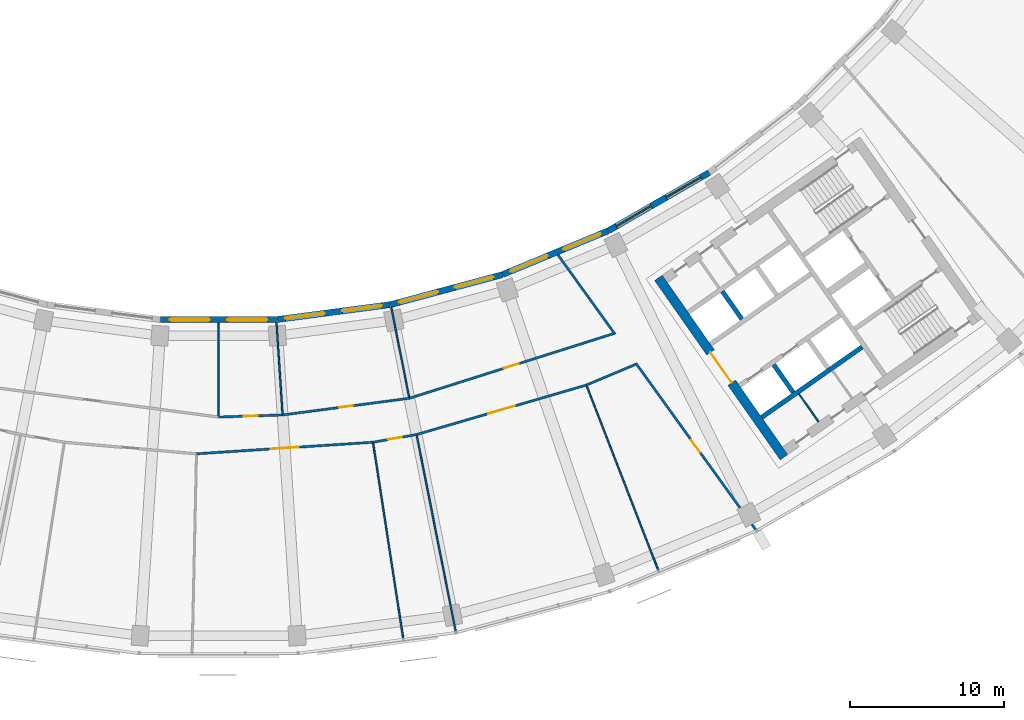
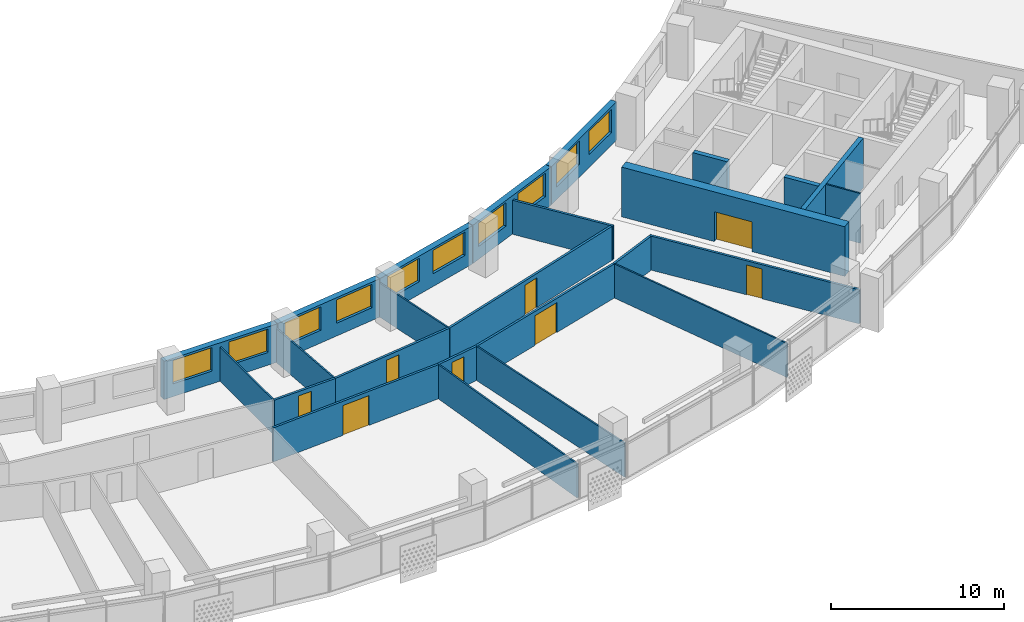
# One storey, part 5 of 27: 25 walls, 10 windows, 8 doors, 18 openings.
"""IFC4 building model written with IfcOpenShell, lengths in metres."""

from ifc_helpers import new_model, si_unit, direction, frame, frame_2d, origin, place, context, subcontext, project, spatial, rectangle, extrude, material, layer, layer_set, type_object, element, fill, save


model = new_model("IFC4")

# Units and contexts
model_context = context("Model", 3, precision=1e-05, world=origin(), true_north=direction((0.0, 1.0)))
body_context = subcontext(model_context, "Body", "Model", "MODEL_VIEW")
ifc_project = project(units=[si_unit("LENGTHUNIT", "METRE"), si_unit("AREAUNIT", "SQUARE_METRE"), si_unit("VOLUMEUNIT", "CUBIC_METRE"), si_unit("PLANEANGLEUNIT", "RADIAN"), si_unit("MASSUNIT", "GRAM", prefix="KILO")], contexts=[model_context])

# Site, building, storey
site_placement = place(None, origin())
site = spatial("IfcSite", under=ifc_project, at=site_placement, CompositionType="ELEMENT")
building_placement = place(site_placement, origin())
building = spatial("IfcBuilding", under=site, at=building_placement, Name="Qamariyya Broadcast Tower", CompositionType="ELEMENT")
storey_placement = place(building_placement, frame((0.0, 0.0, 153.10009765625)))
storey = spatial("IfcBuildingStorey", under=building, at=storey_placement, Name="L35", CompositionType="ELEMENT", Elevation=153.10009765625)

# Wall, opening, door
ifc_material_1 = material(Name="Concrete C60/75", Category="concrete")
ifc_layer_1 = layer(ifc_material_1, 0.60009765625)
ifc_layer_set_1 = layer_set([ifc_layer_1], Name="Core wall 600 mm Concrete C60/75")
wall_type_1 = type_object("IfcWallType", Name="Core wall 600 mm Concrete C60/75", PredefinedType="SHEAR", material=ifc_layer_set_1)
wall_1_placement = place(storey_placement, frame((36.66748046875, -66.005126953125, 0.0), z_axis=(0.0, 0.0, 1.0), x_axis=(-0.573568499524, 0.819157601658, 0.0)))
wall_1 = element("IfcWall", 1, at=wall_1_placement, inside=storey, type_object=wall_type_1, Name="k-E-L35-WA", PredefinedType="SHEAR", context=body_context, shape_type="SweptSolid", body=[
    extrude(rectangle(XDim=14.19970703125, YDim=0.60009765625, at=frame_2d((7.099853515625, 0.0))), origin(), (0.0, 0.0, 1.0), 3.5),
])
opening_1_placement = place(wall_1_placement, frame((5.89990234375, 0.0, 0.0)))
opening_1 = element("IfcOpeningElement", 2, at=opening_1_placement, cuts=wall_1, Name="Opening KD3-E1", PredefinedType="OPENING", context=body_context, shape_type="SweptSolid", body=[
    extrude(rectangle(XDim=2.39990234375, YDim=2.10009765625, at=frame_2d((1.199951171875, 1.050048828125))), frame((0.0, 0.31005859375, 0.0), z_axis=(0.0, -1.0, 0.0), x_axis=(1.0, 0.0, 0.0)), (0.0, 0.0, 1.0), 0.6201171875),
])
ifc_material_2 = material(Name="Steel fire-resisting door leaf", Category="steel")
door_type_1 = type_object("IfcDoorType", Name="Lift lobby door KD3", OperationType="DOUBLE_DOOR_SINGLE_SWING", PredefinedType="DOOR", material=ifc_material_2)
door_1_placement = place(opening_1_placement, origin())
door_1 = element("IfcDoor", 3, at=door_1_placement, inside=storey, type_object=door_type_1, Name="k-E-L35-WA-D1", OperationType="DOUBLE_DOOR_SINGLE_SWING", OverallHeight=2.10009765625, OverallWidth=2.39990234375, PredefinedType="DOOR", context=body_context, shape_type="SweptSolid", body=[
    extrude(rectangle(XDim=2.39990234375, YDim=2.10009765625, at=frame_2d((1.199951171875, 1.050048828125))), frame((0.0, 0.02490234375, 0.0), z_axis=(0.0, -1.0, 0.0), x_axis=(1.0, 0.0, 0.0)), (0.0, 0.0, 1.0), 0.050048828125),
])
fill(opening_1, door_1)

ifc_material_3 = material(Name="Gypsum board partition")
ifc_layer_2 = layer(ifc_material_3, 0.14990234375)
ifc_layer_set_2 = layer_set([ifc_layer_2], Name="Corridor partition 150 EI 60")
wall_type_2 = type_object("IfcWallType", Name="Corridor partition 150 EI 60", PredefinedType="PARTITIONING", material=ifc_layer_set_2)
wall_2_placement = place(storey_placement, frame((10.011474609375, -65.033935546875, 0.0), z_axis=(0.0, 0.0, 1.0), x_axis=(-0.997859749659, -0.065390519271, 0.0)))
wall_2 = element("IfcWall", 4, at=wall_2_placement, inside=storey, type_object=wall_type_2, Name="Partition L35-015", PredefinedType="PARTITIONING", context=body_context, shape_type="SweptSolid", body=[
    extrude(rectangle(XDim=11.473388671875, YDim=0.14990234375, at=frame_2d((5.73681640625, 0.0))), origin(), (0.0, 0.0, 1.0), 2.39990234375),
])
opening_2_placement = place(wall_2_placement, frame((4.836669921875, 0.0, 0.0)))
opening_2 = element("IfcOpeningElement", 5, at=opening_2_placement, cuts=wall_2, Name="Opening L35-D05", PredefinedType="OPENING", context=body_context, shape_type="SweptSolid", body=[
    extrude(rectangle(XDim=1.800048828125, YDim=2.10009765625, at=frame_2d((0.89990234375, 1.050048828125))), frame((0.0, 0.0849609375, 0.0), z_axis=(0.0, -1.0, 0.0), x_axis=(1.0, 0.0, 0.0)), (0.0, 0.0, 1.0), 0.169921875),
])
ifc_material_4 = material(Name="Timber fire door leaf", Category="wood")
door_type_2 = type_object("IfcDoorType", Name="Double fire door 1800 x 2100 FD60", OperationType="NOTDEFINED", PredefinedType="DOOR", material=ifc_material_4)
door_2_placement = place(opening_2_placement, origin())
door_2 = element("IfcDoor", 6, at=door_2_placement, inside=storey, type_object=door_type_2, Name="Door L35-D05", OperationType="DOUBLE_DOOR_SINGLE_SWING", OverallHeight=2.10009765625, OverallWidth=1.800048828125, PredefinedType="DOOR", context=body_context, shape_type="SweptSolid", body=[
    extrude(rectangle(XDim=1.800048828125, YDim=2.10009765625, at=frame_2d((0.89990234375, 1.050048828125))), frame((0.0, 0.02490234375, 0.0), z_axis=(0.0, -1.0, 0.0), x_axis=(1.0, 0.0, 0.0)), (0.0, 0.0, 1.0), 0.050048828125),
])
fill(opening_2, door_2)

wall_3_placement = place(storey_placement, frame((0.0, -63.39990234375, 0.0), z_axis=(0.0, 0.0, 1.0), x_axis=(0.999464584765, 0.032719165634, 0.0)))
wall_3 = element("IfcWall", 7, at=wall_3_placement, inside=storey, type_object=wall_type_2, Name="Partition L35-016", PredefinedType="PARTITIONING", context=body_context, shape_type="SweptSolid", body=[
    extrude(rectangle(XDim=4.148681640625, YDim=0.14990234375, at=frame_2d((2.07421875, 0.0))), origin(), (0.0, 0.0, 1.0), 2.39990234375),
])
opening_3_placement = place(wall_3_placement, frame((1.62451171875, 0.0, 0.0)))
opening_3 = element("IfcOpeningElement", 8, at=opening_3_placement, cuts=wall_3, Name="Opening L35-D11", PredefinedType="OPENING", context=body_context, shape_type="SweptSolid", body=[
    extrude(rectangle(XDim=0.89990234375, YDim=2.10009765625, at=frame_2d((0.449951171875, 1.050048828125))), frame((0.0, 0.0849609375, 0.0), z_axis=(0.0, -1.0, 0.0), x_axis=(1.0, 0.0, 0.0)), (0.0, 0.0, 1.0), 0.169921875),
])
door_type_3 = type_object("IfcDoorType", Name="Fire door 900 x 2100 FD60", OperationType="NOTDEFINED", PredefinedType="DOOR", material=ifc_material_4)
door_3_placement = place(opening_3_placement, origin())
door_3 = element("IfcDoor", 9, at=door_3_placement, inside=storey, type_object=door_type_3, Name="Door L35-D11", OperationType="SINGLE_SWING_RIGHT", OverallHeight=2.10009765625, OverallWidth=0.89990234375, PredefinedType="DOOR", context=body_context, shape_type="SweptSolid", body=[
    extrude(rectangle(XDim=0.89990234375, YDim=2.10009765625, at=frame_2d((0.449951171875, 1.050048828125))), frame((0.0, 0.02490234375, 0.0), z_axis=(0.0, -1.0, 0.0), x_axis=(1.0, 0.0, 0.0)), (0.0, 0.0, 1.0), 0.050048828125),
])
fill(opening_3, door_3)

wall_4_placement = place(storey_placement, frame((4.146484375, -63.26416015625, 0.0), z_axis=(0.0, 0.0, 1.0), x_axis=(0.991447881484, 0.130503250152, 0.0)))
wall_4 = element("IfcWall", 10, at=wall_4_placement, inside=storey, type_object=wall_type_2, Name="Partition L35-019", PredefinedType="PARTITIONING", context=body_context, shape_type="SweptSolid", body=[
    extrude(rectangle(XDim=8.293212890625, YDim=0.14990234375, at=frame_2d((4.146484375, 0.0))), origin(), (0.0, 0.0, 1.0), 2.39990234375),
])
opening_4_placement = place(wall_4_placement, frame((3.696533203125, 0.0, 0.0)))
opening_4 = element("IfcOpeningElement", 11, at=opening_4_placement, cuts=wall_4, Name="Opening L35-D12", PredefinedType="OPENING", context=body_context, shape_type="SweptSolid", body=[
    extrude(rectangle(XDim=0.89990234375, YDim=2.10009765625, at=frame_2d((0.449951171875, 1.050048828125))), frame((0.0, 0.0849609375, 0.0), z_axis=(0.0, -1.0, 0.0), x_axis=(1.0, 0.0, 0.0)), (0.0, 0.0, 1.0), 0.169921875),
])
door_4_placement = place(opening_4_placement, origin())
door_4 = element("IfcDoor", 12, at=door_4_placement, inside=storey, type_object=door_type_3, Name="Door L35-D12", OperationType="SINGLE_SWING_RIGHT", OverallHeight=2.10009765625, OverallWidth=0.89990234375, PredefinedType="DOOR", context=body_context, shape_type="SweptSolid", body=[
    extrude(rectangle(XDim=0.89990234375, YDim=2.10009765625, at=frame_2d((0.449951171875, 1.050048828125))), frame((0.0, 0.02490234375, 0.0), z_axis=(0.0, -1.0, 0.0), x_axis=(1.0, 0.0, 0.0)), (0.0, 0.0, 1.0), 0.050048828125),
])
fill(opening_4, door_4)

wall_5_placement = place(storey_placement, frame((12.8369140625, -64.53564453125, 0.0), z_axis=(0.0, 0.0, 1.0), x_axis=(-0.984802399532, -0.173678536027, 0.0)))
wall_5 = element("IfcWall", 13, at=wall_5_placement, inside=storey, type_object=wall_type_2, Name="Partition L35-020", PredefinedType="PARTITIONING", context=body_context, shape_type="SweptSolid", body=[
    extrude(rectangle(XDim=2.869140625, YDim=0.14990234375, at=frame_2d((1.4345703125, 0.0))), origin(), (0.0, 0.0, 1.0), 2.39990234375),
])
opening_5_placement = place(wall_5_placement, frame((0.984619140625, 0.0, 0.0)))
opening_5 = element("IfcOpeningElement", 14, at=opening_5_placement, cuts=wall_5, Name="Opening L35-D06", PredefinedType="OPENING", context=body_context, shape_type="SweptSolid", body=[
    extrude(rectangle(XDim=0.89990234375, YDim=2.10009765625, at=frame_2d((0.449951171875, 1.050048828125))), frame((0.0, 0.0849609375, 0.0), z_axis=(0.0, -1.0, 0.0), x_axis=(1.0, 0.0, 0.0)), (0.0, 0.0, 1.0), 0.169921875),
])
door_5_placement = place(opening_5_placement, origin())
door_5 = element("IfcDoor", 15, at=door_5_placement, inside=storey, type_object=door_type_3, Name="Door L35-D06", OperationType="SINGLE_SWING_RIGHT", OverallHeight=2.10009765625, OverallWidth=0.89990234375, PredefinedType="DOOR", context=body_context, shape_type="SweptSolid", body=[
    extrude(rectangle(XDim=0.89990234375, YDim=2.10009765625, at=frame_2d((0.449951171875, 1.050048828125))), frame((0.0, 0.02490234375, 0.0), z_axis=(0.0, -1.0, 0.0), x_axis=(1.0, 0.0, 0.0)), (0.0, 0.0, 1.0), 0.050048828125),
])
fill(opening_5, door_5)

wall_6_placement = place(storey_placement, frame((12.36865234375, -62.181884765625, 0.0), z_axis=(0.0, 0.0, 1.0), x_axis=(0.953361971867, 0.301829340187, 0.0)))
wall_6 = element("IfcWall", 16, at=wall_6_placement, inside=storey, type_object=wall_type_2, Name="Partition L35-023", PredefinedType="PARTITIONING", context=body_context, shape_type="SweptSolid", body=[
    extrude(rectangle(XDim=13.876220703125, YDim=0.14990234375, at=frame_2d((6.93798828125, 0.0))), origin(), (0.0, 0.0, 1.0), 2.39990234375),
])
opening_6_placement = place(wall_6_placement, frame((6.43798828125, 0.0, 0.0)))
opening_6 = element("IfcOpeningElement", 17, at=opening_6_placement, cuts=wall_6, Name="Opening L35-D13", PredefinedType="OPENING", context=body_context, shape_type="SweptSolid", body=[
    extrude(rectangle(XDim=1.0, YDim=2.10009765625, at=frame_2d((0.5, 1.050048828125))), frame((0.0, 0.0849609375, 0.0), z_axis=(0.0, -1.0, 0.0), x_axis=(1.0, 0.0, 0.0)), (0.0, 0.0, 1.0), 0.169921875),
])
door_type_4 = type_object("IfcDoorType", Name="Fire door 1000 x 2100 FD60", OperationType="NOTDEFINED", PredefinedType="DOOR", material=ifc_material_4)
door_6_placement = place(opening_6_placement, origin())
door_6 = element("IfcDoor", 18, at=door_6_placement, inside=storey, type_object=door_type_4, Name="Door L35-D13", OperationType="SINGLE_SWING_RIGHT", OverallHeight=2.10009765625, OverallWidth=1.0, PredefinedType="DOOR", context=body_context, shape_type="SweptSolid", body=[
    extrude(rectangle(XDim=1.0, YDim=2.10009765625, at=frame_2d((0.5, 1.050048828125))), frame((0.0, 0.02490234375, 0.0), z_axis=(0.0, -1.0, 0.0), x_axis=(1.0, 0.0, 0.0)), (0.0, 0.0, 1.0), 0.050048828125),
])
fill(opening_6, door_6)

wall_7_placement = place(storey_placement, frame((23.8466796875, -61.32666015625, 0.0), z_axis=(0.0, 0.0, 1.0), x_axis=(-0.960051486256, -0.279823415277, 0.0)))
wall_7 = element("IfcWall", 19, at=wall_7_placement, inside=storey, type_object=wall_type_2, Name="Partition L35-024", PredefinedType="PARTITIONING", context=body_context, shape_type="SweptSolid", body=[
    extrude(rectangle(XDim=11.4677734375, YDim=0.14990234375, at=frame_2d((5.73388671875, 0.0))), origin(), (0.0, 0.0, 1.0), 2.39990234375),
])
opening_7_placement = place(wall_7_placement, frame((4.833984375, 0.0, 0.0)))
opening_7 = element("IfcOpeningElement", 20, at=opening_7_placement, cuts=wall_7, Name="Opening L35-D07", PredefinedType="OPENING", context=body_context, shape_type="SweptSolid", body=[
    extrude(rectangle(XDim=1.800048828125, YDim=2.10009765625, at=frame_2d((0.89990234375, 1.050048828125))), frame((0.0, 0.0849609375, 0.0), z_axis=(0.0, -1.0, 0.0), x_axis=(1.0, 0.0, 0.0)), (0.0, 0.0, 1.0), 0.169921875),
])
door_7_placement = place(opening_7_placement, origin())
door_7 = element("IfcDoor", 21, at=door_7_placement, inside=storey, type_object=door_type_2, Name="Door L35-D07", OperationType="DOUBLE_DOOR_SINGLE_SWING", OverallHeight=2.10009765625, OverallWidth=1.800048828125, PredefinedType="DOOR", context=body_context, shape_type="SweptSolid", body=[
    extrude(rectangle(XDim=1.800048828125, YDim=2.10009765625, at=frame_2d((0.89990234375, 1.050048828125))), frame((0.0, 0.02490234375, 0.0), z_axis=(0.0, -1.0, 0.0), x_axis=(1.0, 0.0, 0.0)), (0.0, 0.0, 1.0), 0.050048828125),
])
fill(opening_7, door_7)

# Walls
wall_8_placement = place(storey_placement, frame((22.0, -52.873046875, 0.0), z_axis=(0.0, 0.0, 1.0), x_axis=(0.58417014289, -0.811631224236, 0.0)))
element("IfcWall", 22, at=wall_8_placement, inside=storey, type_object=wall_type_2, Name="Partition L35-026", PredefinedType="PARTITIONING", context=body_context, shape_type="SweptSolid", body=[
    extrude(rectangle(XDim=6.356201171875, YDim=0.14990234375, at=frame_2d((3.17822265625, 0.0))), origin(), (0.0, 0.0, 1.0), 2.39990234375),
])
wall_9_placement = place(storey_placement, frame((23.8466796875, -61.32666015625, 0.0), z_axis=(0.0, 0.0, 1.0), x_axis=(0.921979582273, 0.38723849224, 0.0)))
element("IfcWall", 23, at=wall_9_placement, inside=storey, type_object=wall_type_2, Name="Partition L35-027", PredefinedType="PARTITIONING", context=body_context, shape_type="SweptSolid", body=[
    extrude(rectangle(XDim=3.454345703125, YDim=0.14990234375, at=frame_2d((1.72705078125, 0.0))), origin(), (0.0, 0.0, 1.0), 2.39990234375),
])

# Wall, opening, door
wall_10_placement = place(storey_placement, frame((34.823974609375, -70.690673828125, 0.0), z_axis=(0.0, 0.0, 1.0), x_axis=(-0.584166374063, 0.81163393683, 0.0)))
wall_10 = element("IfcWall", 24, at=wall_10_placement, inside=storey, type_object=wall_type_2, Name="Partition L35-028", PredefinedType="PARTITIONING", context=body_context, shape_type="SweptSolid", body=[
    extrude(rectangle(XDim=13.296142578125, YDim=0.14990234375, at=frame_2d((6.64794921875, 0.0))), origin(), (0.0, 0.0, 1.0), 2.39990234375),
])
opening_8_placement = place(wall_10_placement, frame((6.14794921875, 0.0, 0.0)))
opening_8 = element("IfcOpeningElement", 25, at=opening_8_placement, cuts=wall_10, Name="Opening L35-D08", PredefinedType="OPENING", context=body_context, shape_type="SweptSolid", body=[
    extrude(rectangle(XDim=1.0, YDim=2.10009765625, at=frame_2d((0.5, 1.050048828125))), frame((0.0, 0.0849609375, 0.0), z_axis=(0.0, -1.0, 0.0), x_axis=(1.0, 0.0, 0.0)), (0.0, 0.0, 1.0), 0.169921875),
])
door_8_placement = place(opening_8_placement, origin())
door_8 = element("IfcDoor", 26, at=door_8_placement, inside=storey, type_object=door_type_4, Name="Door L35-D08", OperationType="SINGLE_SWING_RIGHT", OverallHeight=2.10009765625, OverallWidth=1.0, PredefinedType="DOOR", context=body_context, shape_type="SweptSolid", body=[
    extrude(rectangle(XDim=1.0, YDim=2.10009765625, at=frame_2d((0.5, 1.050048828125))), frame((0.0, 0.02490234375, 0.0), z_axis=(0.0, -1.0, 0.0), x_axis=(1.0, 0.0, 0.0)), (0.0, 0.0, 1.0), 0.050048828125),
])
fill(opening_8, door_8)

# Walls
ifc_layer_3 = layer(ifc_material_1, 0.300048828125)
ifc_layer_set_3 = layer_set([ifc_layer_3], Name="Lift shaft wall 300 mm Concrete C60/75")
wall_type_3 = type_object("IfcWallType", Name="Lift shaft wall 300 mm Concrete C60/75", PredefinedType="SOLIDWALL", material=ifc_layer_set_3)
wall_11_placement = place(storey_placement, frame((33.9384765625, -57.051513671875, 0.0), z_axis=(0.0, 0.0, 1.0), x_axis=(-0.573581496053, 0.819148501424, 0.0)))
element("IfcWall", 27, at=wall_11_placement, inside=storey, type_object=wall_type_3, Name="k-E-L35-ND0", PredefinedType="SOLIDWALL", context=body_context, shape_type="SweptSolid", body=[
    extrude(rectangle(XDim=2.2001953125, YDim=0.300048828125, at=frame_2d((1.10009765625, 0.0))), origin(), (0.0, 0.0, 1.0), 3.5),
])
wall_12_placement = place(storey_placement, frame((35.22119140625, -63.41650390625, 0.0), z_axis=(0.0, 0.0, 1.0), x_axis=(0.819166993208, 0.573555086491, 0.0)))
element("IfcWall", 28, at=wall_12_placement, inside=storey, type_object=wall_type_3, Name="k-E-L35-SB0", PredefinedType="SOLIDWALL", context=body_context, shape_type="SweptSolid", body=[
    extrude(rectangle(XDim=7.9501953125, YDim=0.300048828125, at=frame_2d((3.97509765625, 0.0))), origin(), (0.0, 0.0, 1.0), 3.5),
])
wall_13_placement = place(storey_placement, frame((36.003173828125, -60.000244140625, 0.0), z_axis=(0.0, 0.0, 1.0), x_axis=(0.573581496053, -0.819148501424, 0.0)))
element("IfcWall", 29, at=wall_13_placement, inside=storey, type_object=wall_type_3, Name="k-E-L35-SD0", PredefinedType="SOLIDWALL", context=body_context, shape_type="SweptSolid", body=[
    extrude(rectangle(XDim=2.2001953125, YDim=0.300048828125, at=frame_2d((1.10009765625, 0.0))), origin(), (0.0, 0.0, 1.0), 3.5),
])
ifc_layer_4 = layer(ifc_material_3, 0.10009765625)
ifc_layer_set_4 = layer_set([ifc_layer_4], Name="Partition 100")
wall_type_4 = type_object("IfcWallType", Name="Partition 100", PredefinedType="PARTITIONING", material=ifc_layer_set_4)
wall_14_placement = place(storey_placement, frame((0.0, -57.278076171875, 0.0), z_axis=(0.0, 0.0, 1.0), x_axis=(0.0, -1.0, 0.0)))
element("IfcWall", 30, at=wall_14_placement, inside=storey, type_object=wall_type_4, Name="Partition L35-017", PredefinedType="PARTITIONING", context=body_context, shape_type="SweptSolid", body=[
    extrude(rectangle(XDim=6.046875, YDim=0.10009765625, at=frame_2d((3.0234375, 0.0))), origin(), (0.0, 0.0, 1.0), 2.39990234375),
])
wall_15_placement = place(storey_placement, frame((3.754150390625, -57.277099609375, 0.0), z_axis=(0.0, 0.0, 1.0), x_axis=(0.065392214001, -0.997859638601, 0.0)))
element("IfcWall", 31, at=wall_15_placement, inside=storey, type_object=wall_type_4, Name="Partition L35-018", PredefinedType="PARTITIONING", context=body_context, shape_type="SweptSolid", body=[
    extrude(rectangle(XDim=5.925048828125, YDim=0.10009765625, at=frame_2d((2.96240234375, 0.0))), origin(), (0.0, 0.0, 1.0), 2.39990234375),
])
wall_16_placement = place(storey_placement, frame((11.1982421875, -56.297119140625, 0.0), z_axis=(0.0, 0.0, 1.0), x_axis=(0.195070020718, -0.980789318364, 0.0)))
element("IfcWall", 32, at=wall_16_placement, inside=storey, type_object=wall_type_4, Name="Partition L35-021", PredefinedType="PARTITIONING", context=body_context, shape_type="SweptSolid", body=[
    extrude(rectangle(XDim=5.9248046875, YDim=0.10009765625, at=frame_2d((2.96240234375, 0.0))), origin(), (0.0, 0.0, 1.0), 2.39990234375),
])
wall_17_placement = place(storey_placement, frame((11.966552734375, -77.73388671875, 0.0), z_axis=(0.0, 0.0, 1.0), x_axis=(-0.152147660046, 0.988357774059, 0.0)))
element("IfcWall", 33, at=wall_17_placement, inside=storey, type_object=wall_type_4, Name="Partition L35-022", PredefinedType="PARTITIONING", context=body_context, shape_type="SweptSolid", body=[
    extrude(rectangle(XDim=12.7744140625, YDim=0.10009765625, at=frame_2d((6.38720703125, 0.0))), origin(), (0.0, 0.0, 1.0), 2.39990234375),
])
wall_18_placement = place(storey_placement, frame((15.373046875, -77.285888671875, 0.0), z_axis=(0.0, 0.0, 1.0), x_axis=(-0.195084402894, 0.980786457771, 0.0)))
element("IfcWall", 34, at=wall_18_placement, inside=storey, type_object=wall_type_4, Name="Partition L35-025", PredefinedType="PARTITIONING", context=body_context, shape_type="SweptSolid", body=[
    extrude(rectangle(XDim=12.925048828125, YDim=0.10009765625, at=frame_2d((6.46240234375, 0.0))), origin(), (0.0, 0.0, 1.0), 2.39990234375),
])
wall_19_placement = place(storey_placement, frame((28.503662109375, -73.302978515625, 0.0), z_axis=(0.0, 0.0, 1.0), x_axis=(-0.362407525881, 0.932019734332, 0.0)))
element("IfcWall", 35, at=wall_19_placement, inside=storey, type_object=wall_type_4, Name="Partition L35-029", PredefinedType="PARTITIONING", context=body_context, shape_type="SweptSolid", body=[
    extrude(rectangle(XDim=12.774658203125, YDim=0.10009765625, at=frame_2d((6.38720703125, 0.0))), origin(), (0.0, 0.0, 1.0), 2.39990234375),
])
ifc_material_5 = material(Name="Fire-rated gypsum shaft liner on steel studs", Category="steel")
ifc_layer_5 = layer(ifc_material_5, 0.10009765625)
ifc_layer_set_5 = layer_set([ifc_layer_5], Name="Riser wall 100 mm")
wall_type_5 = type_object("IfcWallType", Name="Riser wall 100 mm", PredefinedType="PLUMBINGWALL", material=ifc_layer_set_5)
wall_20_placement = place(storey_placement, frame((37.64208984375, -61.90478515625, 0.0), z_axis=(0.0, 0.0, 1.0), x_axis=(0.573507030513, -0.819200638399, 0.0)))
element("IfcWall", 36, at=wall_20_placement, inside=storey, type_object=wall_type_5, Name="k-E-L35-SP285", PredefinedType="PLUMBINGWALL", context=body_context, shape_type="SweptSolid", body=[
    extrude(rectangle(XDim=2.199951171875, YDim=0.10009765625, at=frame_2d((1.10009765625, 0.0))), origin(), (0.0, 0.0, 1.0), 3.5),
])

# Wall, openings, windows
ifc_material_6 = material(Name="Terracotta", Category="masonry")
ifc_layer_6 = layer(ifc_material_6, 0.39990234375)
ifc_layer_set_6 = layer_set([ifc_layer_6], Name="Terracotta clad wall 400")
wall_type_6 = type_object("IfcWallType", Name="Terracotta clad wall 400", PredefinedType="SOLIDWALL", material=ifc_layer_set_6)
wall_21_placement = place(storey_placement, frame((25.252197265625, -51.32080078125, 0.0), z_axis=(0.0, 0.0, 1.0), x_axis=(-0.923867659443, -0.382712095229, 0.0)))
wall_21 = element("IfcWall", 37, at=wall_21_placement, inside=storey, type_object=wall_type_6, Name="e-wl-L35-in100", PredefinedType="SOLIDWALL", context=body_context, shape_type="SweptSolid", body=[
    extrude(rectangle(XDim=7.380859375, YDim=0.39990234375, at=frame_2d((3.6904296875, 0.0))), origin(), (0.0, 0.0, 1.0), 2.699951171875),
])
opening_9_placement = place(wall_21_placement, frame((4.25439453125, 0.0, 0.89990234375)))
opening_9 = element("IfcOpeningElement", 38, at=opening_9_placement, cuts=wall_21, Name="Opening W1", PredefinedType="OPENING", context=body_context, shape_type="SweptSolid", body=[
    extrude(rectangle(XDim=2.60009765625, YDim=1.64990234375, at=frame_2d((1.300048828125, 0.824951171875))), frame((0.0, 0.2099609375, 0.0), z_axis=(0.0, -1.0, 0.0), x_axis=(1.0, 0.0, 0.0)), (0.0, 0.0, 1.0), 0.419921875),
])
opening_10_placement = place(wall_21_placement, frame((0.5263671875, 0.0, 0.89990234375)))
opening_10 = element("IfcOpeningElement", 39, at=opening_10_placement, cuts=wall_21, Name="Opening W1", PredefinedType="OPENING", context=body_context, shape_type="SweptSolid", body=[
    extrude(rectangle(XDim=2.60009765625, YDim=1.64990234375, at=frame_2d((1.300048828125, 0.824951171875))), frame((0.0, 0.2099609375, 0.0), z_axis=(0.0, -1.0, 0.0), x_axis=(1.0, 0.0, 0.0)), (0.0, 0.0, 1.0), 0.419921875),
])
ifc_material_7 = material(Name="Clear low-e double glazed unit in aluminium frame", Category="aluminium")
window_type = type_object("IfcWindowType", Name="Ribbon window 2600 x 1650", PartitioningType="SINGLE_PANEL", PredefinedType="WINDOW", material=ifc_material_7)
window_1_placement = place(opening_9_placement, origin())
window_1 = element("IfcWindow", 40, at=window_1_placement, inside=storey, type_object=window_type, Name="e-w-L35-in10-0", OverallHeight=1.64990234375, OverallWidth=2.60009765625, PartitioningType="SINGLE_PANEL", PredefinedType="WINDOW", context=body_context, shape_type="SweptSolid", body=[
    extrude(rectangle(XDim=2.60009765625, YDim=1.64990234375, at=frame_2d((1.300048828125, 0.824951171875))), frame((0.0, 0.030029296875, 0.0), z_axis=(0.0, -1.0, 0.0), x_axis=(1.0, 0.0, 0.0)), (0.0, 0.0, 1.0), 0.06005859375),
])
fill(opening_9, window_1)
window_2_placement = place(opening_10_placement, origin())
window_2 = element("IfcWindow", 41, at=window_2_placement, inside=storey, type_object=window_type, Name="e-w-L35-in10-1", OverallHeight=1.64990234375, OverallWidth=2.60009765625, PartitioningType="SINGLE_PANEL", PredefinedType="WINDOW", context=body_context, shape_type="SweptSolid", body=[
    extrude(rectangle(XDim=2.60009765625, YDim=1.64990234375, at=frame_2d((1.300048828125, 0.824951171875))), frame((0.0, 0.030029296875, 0.0), z_axis=(0.0, -1.0, 0.0), x_axis=(1.0, 0.0, 0.0)), (0.0, 0.0, 1.0), 0.06005859375),
])
fill(opening_10, window_2)

wall_22_placement = place(storey_placement, frame((31.800537109375, -47.5478515625, 0.0), z_axis=(0.0, 0.0, 1.0), x_axis=(-0.866028517328, -0.499994607145, 0.0)))
wall_22 = element("IfcWall", 42, at=wall_22_placement, inside=storey, type_object=wall_type_6, Name="e-wl-L35-in110", PredefinedType="SOLIDWALL", context=body_context, shape_type="SweptSolid", body=[
    extrude(rectangle(XDim=7.5322265625, YDim=0.39990234375, at=frame_2d((3.76611328125, 0.0))), origin(), (0.0, 0.0, 1.0), 2.699951171875),
])
opening_11_placement = place(wall_22_placement, frame((4.330078125, 0.0, 0.89990234375)))
opening_11 = element("IfcOpeningElement", 43, at=opening_11_placement, cuts=wall_22, Name="Opening W1", PredefinedType="OPENING", context=body_context, shape_type="SweptSolid", body=[
    extrude(rectangle(XDim=2.60009765625, YDim=1.64990234375, at=frame_2d((1.300048828125, 0.824951171875))), frame((0.0, 0.2099609375, 0.0), z_axis=(0.0, -1.0, 0.0), x_axis=(1.0, 0.0, 0.0)), (0.0, 0.0, 1.0), 0.419921875),
])
opening_12_placement = place(wall_22_placement, frame((0.60205078125, 0.0, 0.89990234375)))
opening_12 = element("IfcOpeningElement", 44, at=opening_12_placement, cuts=wall_22, Name="Opening W1", PredefinedType="OPENING", context=body_context, shape_type="SweptSolid", body=[
    extrude(rectangle(XDim=2.60009765625, YDim=1.64990234375, at=frame_2d((1.300048828125, 0.824951171875))), frame((0.0, 0.2099609375, 0.0), z_axis=(0.0, -1.0, 0.0), x_axis=(1.0, 0.0, 0.0)), (0.0, 0.0, 1.0), 0.419921875),
])
window_3_placement = place(opening_11_placement, origin())
window_3 = element("IfcWindow", 45, at=window_3_placement, inside=storey, type_object=window_type, Name="e-w-L35-in11-0", OverallHeight=1.64990234375, OverallWidth=2.60009765625, PartitioningType="SINGLE_PANEL", PredefinedType="WINDOW", context=body_context, shape_type="SweptSolid", body=[
    extrude(rectangle(XDim=2.60009765625, YDim=1.64990234375, at=frame_2d((1.300048828125, 0.824951171875))), frame((0.0, 0.030029296875, 0.0), z_axis=(0.0, -1.0, 0.0), x_axis=(1.0, 0.0, 0.0)), (0.0, 0.0, 1.0), 0.06005859375),
])
fill(opening_11, window_3)
window_4_placement = place(opening_12_placement, origin())
window_4 = element("IfcWindow", 46, at=window_4_placement, inside=storey, type_object=window_type, Name="e-w-L35-in11-1", OverallHeight=1.64990234375, OverallWidth=2.60009765625, PartitioningType="SINGLE_PANEL", PredefinedType="WINDOW", context=body_context, shape_type="SweptSolid", body=[
    extrude(rectangle(XDim=2.60009765625, YDim=1.64990234375, at=frame_2d((1.300048828125, 0.824951171875))), frame((0.0, 0.030029296875, 0.0), z_axis=(0.0, -1.0, 0.0), x_axis=(1.0, 0.0, 0.0)), (0.0, 0.0, 1.0), 0.06005859375),
])
fill(opening_12, window_4)

wall_23_placement = place(storey_placement, frame((3.76611328125, -57.077880859375, 0.0), z_axis=(0.0, 0.0, 1.0), x_axis=(-1.0, 0.0, 0.0)))
wall_23 = element("IfcWall", 47, at=wall_23_placement, inside=storey, type_object=wall_type_6, Name="e-wl-L35-in70", PredefinedType="SOLIDWALL", context=body_context, shape_type="SweptSolid", body=[
    extrude(rectangle(XDim=7.5322265625, YDim=0.39990234375, at=frame_2d((3.76611328125, 0.0))), origin(), (0.0, 0.0, 1.0), 2.699951171875),
])
opening_13_placement = place(wall_23_placement, frame((4.330078125, 0.0, 0.89990234375)))
opening_13 = element("IfcOpeningElement", 48, at=opening_13_placement, cuts=wall_23, Name="Opening W1", PredefinedType="OPENING", context=body_context, shape_type="SweptSolid", body=[
    extrude(rectangle(XDim=2.60009765625, YDim=1.64990234375, at=frame_2d((1.300048828125, 0.824951171875))), frame((0.0, 0.2099609375, 0.0), z_axis=(0.0, -1.0, 0.0), x_axis=(1.0, 0.0, 0.0)), (0.0, 0.0, 1.0), 0.419921875),
])
opening_14_placement = place(wall_23_placement, frame((0.60205078125, 0.0, 0.89990234375)))
opening_14 = element("IfcOpeningElement", 49, at=opening_14_placement, cuts=wall_23, Name="Opening W1", PredefinedType="OPENING", context=body_context, shape_type="SweptSolid", body=[
    extrude(rectangle(XDim=2.60009765625, YDim=1.64990234375, at=frame_2d((1.300048828125, 0.824951171875))), frame((0.0, 0.2099609375, 0.0), z_axis=(0.0, -1.0, 0.0), x_axis=(1.0, 0.0, 0.0)), (0.0, 0.0, 1.0), 0.419921875),
])
window_5_placement = place(opening_13_placement, origin())
window_5 = element("IfcWindow", 50, at=window_5_placement, inside=storey, type_object=window_type, Name="e-w-L35-in07-0", OverallHeight=1.64990234375, OverallWidth=2.60009765625, PartitioningType="SINGLE_PANEL", PredefinedType="WINDOW", context=body_context, shape_type="SweptSolid", body=[
    extrude(rectangle(XDim=2.60009765625, YDim=1.64990234375, at=frame_2d((1.300048828125, 0.824951171875))), frame((0.0, 0.030029296875, 0.0), z_axis=(0.0, -1.0, 0.0), x_axis=(1.0, 0.0, 0.0)), (0.0, 0.0, 1.0), 0.06005859375),
])
fill(opening_13, window_5)
window_6_placement = place(opening_14_placement, origin())
window_6 = element("IfcWindow", 51, at=window_6_placement, inside=storey, type_object=window_type, Name="e-w-L35-in07-1", OverallHeight=1.64990234375, OverallWidth=2.60009765625, PartitioningType="SINGLE_PANEL", PredefinedType="WINDOW", context=body_context, shape_type="SweptSolid", body=[
    extrude(rectangle(XDim=2.60009765625, YDim=1.64990234375, at=frame_2d((1.300048828125, 0.824951171875))), frame((0.0, 0.030029296875, 0.0), z_axis=(0.0, -1.0, 0.0), x_axis=(1.0, 0.0, 0.0)), (0.0, 0.0, 1.0), 0.06005859375),
])
fill(opening_14, window_6)

wall_24_placement = place(storey_placement, frame((11.10888671875, -56.10791015625, 0.0), z_axis=(0.0, 0.0, 1.0), x_axis=(-0.99144438474, -0.130529812564, 0.0)))
wall_24 = element("IfcWall", 52, at=wall_24_placement, inside=storey, type_object=wall_type_6, Name="e-wl-L35-in80", PredefinedType="SOLIDWALL", context=body_context, shape_type="SweptSolid", body=[
    extrude(rectangle(XDim=7.380615234375, YDim=0.39990234375, at=frame_2d((3.6904296875, 0.0))), origin(), (0.0, 0.0, 1.0), 2.699951171875),
])
opening_15_placement = place(wall_24_placement, frame((4.25439453125, 0.0, 0.89990234375)))
opening_15 = element("IfcOpeningElement", 53, at=opening_15_placement, cuts=wall_24, Name="Opening W1", PredefinedType="OPENING", context=body_context, shape_type="SweptSolid", body=[
    extrude(rectangle(XDim=2.60009765625, YDim=1.64990234375, at=frame_2d((1.300048828125, 0.824951171875))), frame((0.0, 0.2099609375, 0.0), z_axis=(0.0, -1.0, 0.0), x_axis=(1.0, 0.0, 0.0)), (0.0, 0.0, 1.0), 0.419921875),
])
opening_16_placement = place(wall_24_placement, frame((0.5263671875, 0.0, 0.89990234375)))
opening_16 = element("IfcOpeningElement", 54, at=opening_16_placement, cuts=wall_24, Name="Opening W1", PredefinedType="OPENING", context=body_context, shape_type="SweptSolid", body=[
    extrude(rectangle(XDim=2.60009765625, YDim=1.64990234375, at=frame_2d((1.300048828125, 0.824951171875))), frame((0.0, 0.2099609375, 0.0), z_axis=(0.0, -1.0, 0.0), x_axis=(1.0, 0.0, 0.0)), (0.0, 0.0, 1.0), 0.419921875),
])
window_7_placement = place(opening_15_placement, origin())
window_7 = element("IfcWindow", 55, at=window_7_placement, inside=storey, type_object=window_type, Name="e-w-L35-in08-0", OverallHeight=1.64990234375, OverallWidth=2.60009765625, PartitioningType="SINGLE_PANEL", PredefinedType="WINDOW", context=body_context, shape_type="SweptSolid", body=[
    extrude(rectangle(XDim=2.60009765625, YDim=1.64990234375, at=frame_2d((1.300048828125, 0.824951171875))), frame((0.0, 0.030029296875, 0.0), z_axis=(0.0, -1.0, 0.0), x_axis=(1.0, 0.0, 0.0)), (0.0, 0.0, 1.0), 0.06005859375),
])
fill(opening_15, window_7)
window_8_placement = place(opening_16_placement, origin())
window_8 = element("IfcWindow", 56, at=window_8_placement, inside=storey, type_object=window_type, Name="e-w-L35-in08-1", OverallHeight=1.64990234375, OverallWidth=2.60009765625, PartitioningType="SINGLE_PANEL", PredefinedType="WINDOW", context=body_context, shape_type="SweptSolid", body=[
    extrude(rectangle(XDim=2.60009765625, YDim=1.64990234375, at=frame_2d((1.300048828125, 0.824951171875))), frame((0.0, 0.030029296875, 0.0), z_axis=(0.0, -1.0, 0.0), x_axis=(1.0, 0.0, 0.0)), (0.0, 0.0, 1.0), 0.06005859375),
])
fill(opening_16, window_8)

wall_25_placement = place(storey_placement, frame((18.41064453125, -54.158447265625, 0.0), z_axis=(0.0, 0.0, 1.0), x_axis=(-0.965927073219, -0.258814391452, 0.0)))
wall_25 = element("IfcWall", 57, at=wall_25_placement, inside=storey, type_object=wall_type_6, Name="e-wl-L35-in90", PredefinedType="SOLIDWALL", context=body_context, shape_type="SweptSolid", body=[
    extrude(rectangle(XDim=7.5322265625, YDim=0.39990234375, at=frame_2d((3.76611328125, 0.0))), origin(), (0.0, 0.0, 1.0), 2.699951171875),
])
opening_17_placement = place(wall_25_placement, frame((4.330078125, 0.0, 0.89990234375)))
opening_17 = element("IfcOpeningElement", 58, at=opening_17_placement, cuts=wall_25, Name="Opening W1", PredefinedType="OPENING", context=body_context, shape_type="SweptSolid", body=[
    extrude(rectangle(XDim=2.60009765625, YDim=1.64990234375, at=frame_2d((1.300048828125, 0.824951171875))), frame((0.0, 0.2099609375, 0.0), z_axis=(0.0, -1.0, 0.0), x_axis=(1.0, 0.0, 0.0)), (0.0, 0.0, 1.0), 0.419921875),
])
opening_18_placement = place(wall_25_placement, frame((0.60205078125, 0.0, 0.89990234375)))
opening_18 = element("IfcOpeningElement", 59, at=opening_18_placement, cuts=wall_25, Name="Opening W1", PredefinedType="OPENING", context=body_context, shape_type="SweptSolid", body=[
    extrude(rectangle(XDim=2.60009765625, YDim=1.64990234375, at=frame_2d((1.300048828125, 0.824951171875))), frame((0.0, 0.2099609375, 0.0), z_axis=(0.0, -1.0, 0.0), x_axis=(1.0, 0.0, 0.0)), (0.0, 0.0, 1.0), 0.419921875),
])
window_9_placement = place(opening_17_placement, origin())
window_9 = element("IfcWindow", 60, at=window_9_placement, inside=storey, type_object=window_type, Name="e-w-L35-in09-0", OverallHeight=1.64990234375, OverallWidth=2.60009765625, PartitioningType="SINGLE_PANEL", PredefinedType="WINDOW", context=body_context, shape_type="SweptSolid", body=[
    extrude(rectangle(XDim=2.60009765625, YDim=1.64990234375, at=frame_2d((1.300048828125, 0.824951171875))), frame((0.0, 0.030029296875, 0.0), z_axis=(0.0, -1.0, 0.0), x_axis=(1.0, 0.0, 0.0)), (0.0, 0.0, 1.0), 0.06005859375),
])
fill(opening_17, window_9)
window_10_placement = place(opening_18_placement, origin())
window_10 = element("IfcWindow", 61, at=window_10_placement, inside=storey, type_object=window_type, Name="e-w-L35-in09-1", OverallHeight=1.64990234375, OverallWidth=2.60009765625, PartitioningType="SINGLE_PANEL", PredefinedType="WINDOW", context=body_context, shape_type="SweptSolid", body=[
    extrude(rectangle(XDim=2.60009765625, YDim=1.64990234375, at=frame_2d((1.300048828125, 0.824951171875))), frame((0.0, 0.030029296875, 0.0), z_axis=(0.0, -1.0, 0.0), x_axis=(1.0, 0.0, 0.0)), (0.0, 0.0, 1.0), 0.06005859375),
])
fill(opening_18, window_10)

save(model, "model.ifc")
